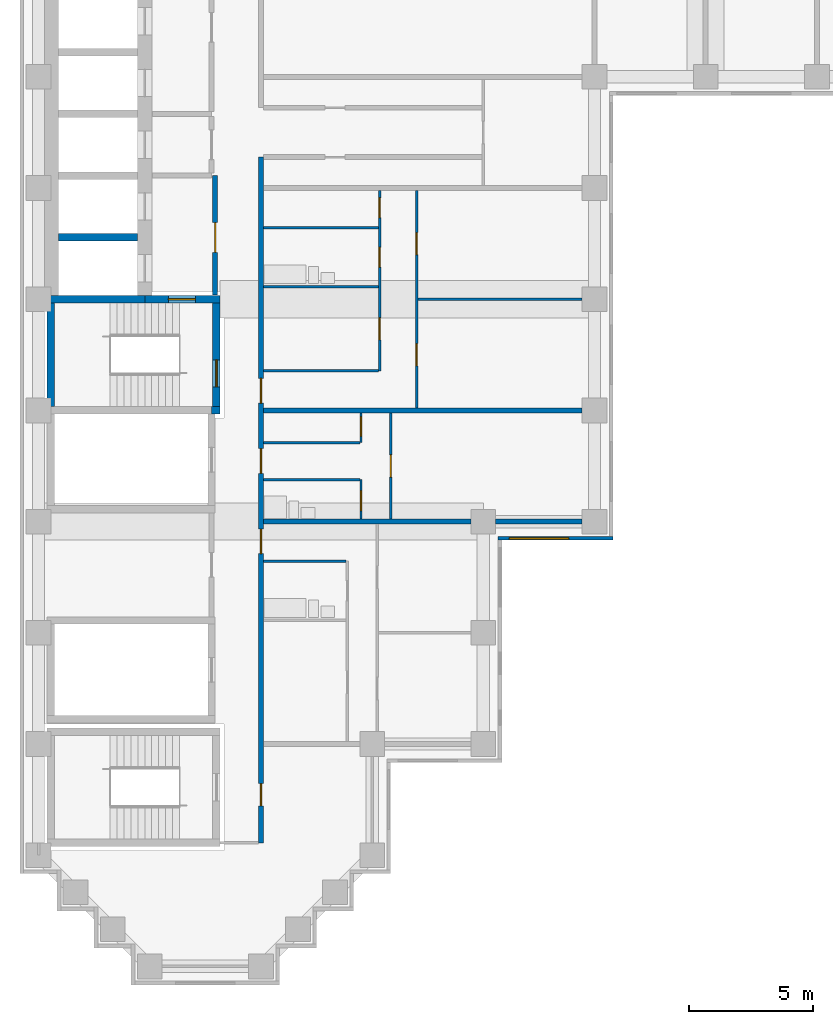
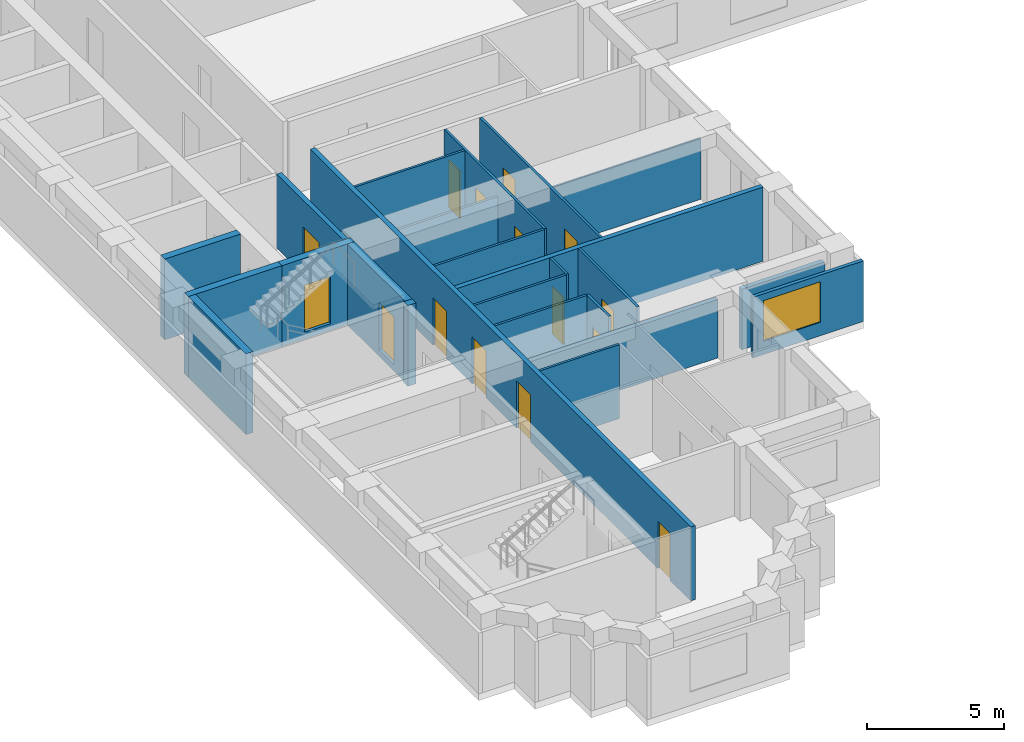
# One storey, part 3 of 12: 24 walls, 15 doors, 1 window, 16 openings.
"""IFC4 building model written with IfcOpenShell, lengths in metres."""

from ifc_helpers import new_model, si_unit, direction, frame, frame_2d, origin, place, context, subcontext, project, spatial, rectangle, extrude, material, layer, layer_set, type_object, element, fill, save


model = new_model("IFC4")

# Units and contexts
model_context = context("Model", 3, precision=1e-05, world=origin(), true_north=direction((0.0, 1.0)))
body_context = subcontext(model_context, "Body", "Model", "MODEL_VIEW")
ifc_project = project(units=[si_unit("LENGTHUNIT", "METRE"), si_unit("AREAUNIT", "SQUARE_METRE"), si_unit("VOLUMEUNIT", "CUBIC_METRE"), si_unit("PLANEANGLEUNIT", "RADIAN"), si_unit("MASSUNIT", "GRAM", prefix="KILO")], contexts=[model_context])

# Site, building, storey
site_placement = place(None, origin())
site = spatial("IfcSite", under=ifc_project, at=site_placement, CompositionType="ELEMENT")
building_placement = place(site_placement, origin())
building = spatial("IfcBuilding", under=site, at=building_placement, Name="Firuza Court", CompositionType="ELEMENT")
storey_placement = place(building_placement, frame((0.0, 0.0, 144.800048828125)))
storey = spatial("IfcBuildingStorey", under=building, at=storey_placement, Name="L36", CompositionType="ELEMENT", Elevation=144.800048828125)

# Walls
ifc_material_1 = material(Name="Moisture-resistant gypsum board partition")
ifc_layer_1 = layer(ifc_material_1, 0.10009765625)
ifc_layer_set_1 = layer_set([ifc_layer_1], Name="Moisture-resistant gypsum board partition")
wall_type_1 = type_object("IfcWallType", Name="Bathroom partition 100", PredefinedType="PLUMBINGWALL", material=ifc_layer_set_1)
wall_1_placement = place(storey_placement, frame((9.10009765625, 16.39990234375, 0.0), z_axis=(0.0, 0.0, 1.0), x_axis=(1.0, 0.0, 0.0)))
element("IfcWall", 1, at=wall_1_placement, inside=storey, type_object=wall_type_1, Name="Bathroom partition 100 L36", PredefinedType="PLUMBINGWALL", context=body_context, shape_type="SweptSolid", body=[
    extrude(rectangle(XDim=3.349853515625, YDim=0.10009765625, at=frame_2d((1.6748046875, 0.0))), origin(), (0.0, 0.0, 1.0), 3.300048828125),
])
wall_2_placement = place(storey_placement, frame((9.10009765625, 19.699951171875, 0.0), z_axis=(0.0, 0.0, 1.0), x_axis=(1.0, 0.0, 0.0)))
element("IfcWall", 2, at=wall_2_placement, inside=storey, type_object=wall_type_1, Name="Bathroom partition 100 L36", PredefinedType="PLUMBINGWALL", context=body_context, shape_type="SweptSolid", body=[
    extrude(rectangle(XDim=3.89990234375, YDim=0.10009765625, at=frame_2d((1.949951171875, 0.0))), origin(), (0.0, 0.0, 1.0), 3.300048828125),
])
wall_3_placement = place(storey_placement, frame((9.10009765625, 27.5, 0.0), z_axis=(0.0, 0.0, 1.0), x_axis=(1.0, 0.0, 0.0)))
element("IfcWall", 3, at=wall_3_placement, inside=storey, type_object=wall_type_1, Name="Bathroom partition 100 L36", PredefinedType="PLUMBINGWALL", context=body_context, shape_type="SweptSolid", body=[
    extrude(rectangle(XDim=4.64990234375, YDim=0.10009765625, at=frame_2d((2.324951171875, 0.0))), origin(), (0.0, 0.0, 1.0), 2.699951171875),
])
wall_4_placement = place(storey_placement, frame((9.10009765625, 29.89990234375, 0.0), z_axis=(0.0, 0.0, 1.0), x_axis=(1.0, 0.0, 0.0)))
element("IfcWall", 4, at=wall_4_placement, inside=storey, type_object=wall_type_1, Name="Bathroom partition 100 L36", PredefinedType="PLUMBINGWALL", context=body_context, shape_type="SweptSolid", body=[
    extrude(rectangle(XDim=4.64990234375, YDim=0.10009765625, at=frame_2d((2.324951171875, 0.0))), origin(), (0.0, 0.0, 1.0), 3.300048828125),
])
ifc_material_2 = material(Name="Concrete C60/75", Category="concrete")
ifc_layer_2 = layer(ifc_material_2, 0.300048828125)
ifc_layer_set_2 = layer_set([ifc_layer_2], Name="Concrete C60/75")
wall_type_2 = type_object("IfcWallType", Name="Core wall 300 C60/75", PredefinedType="SHEAR", material=ifc_layer_set_2)
wall_5_placement = place(storey_placement, frame((0.35009765625, 27.0, -0.300048828125), z_axis=(0.0, 0.0, 1.0), x_axis=(1.0, 0.0, 0.0)))
element("IfcWall", 5, at=wall_5_placement, inside=storey, type_object=wall_type_2, Name="Core wall lift shaft L36", PredefinedType="SHEAR", context=body_context, shape_type="SweptSolid", body=[
    extrude(rectangle(XDim=3.949951171875, YDim=0.300048828125, at=frame_2d((1.97509765625, 0.0))), origin(), (0.0, 0.0, 1.0), 3.60009765625),
])
wall_6_placement = place(storey_placement, frame((0.5, 22.64990234375, -0.300048828125), z_axis=(0.0, 0.0, 1.0), x_axis=(0.0, 1.0, 0.0)))
element("IfcWall", 6, at=wall_6_placement, inside=storey, type_object=wall_type_2, Name="Core wall stair L36", PredefinedType="SHEAR", context=body_context, shape_type="SweptSolid", body=[
    extrude(rectangle(XDim=4.2001953125, YDim=0.300048828125, at=frame_2d((2.10009765625, 0.0))), origin(), (0.0, 0.0, 1.0), 3.60009765625),
])
wall_7_placement = place(storey_placement, frame((0.800048828125, 29.5, -0.300048828125), z_axis=(0.0, 0.0, 1.0), x_axis=(1.0, 0.0, 0.0)))
element("IfcWall", 7, at=wall_7_placement, inside=storey, type_object=wall_type_2, Name="Core wall lift shaft L36", PredefinedType="SHEAR", context=body_context, shape_type="SweptSolid", body=[
    extrude(rectangle(XDim=3.199951171875, YDim=0.300048828125, at=frame_2d((1.60009765625, 0.0))), origin(), (0.0, 0.0, 1.0), 3.60009765625),
])

# Wall, opening, door
wall_8_placement = place(storey_placement, frame((4.300048828125, 27.0, -0.300048828125), z_axis=(0.0, 0.0, 1.0), x_axis=(1.0, 0.0, 0.0)))
wall_8 = element("IfcWall", 8, at=wall_8_placement, inside=storey, type_object=wall_type_2, Name="Core wall stair L36", PredefinedType="SHEAR", context=body_context, shape_type="SweptSolid", body=[
    extrude(rectangle(XDim=3.050048828125, YDim=0.300048828125, at=frame_2d((1.52490234375, 0.0))), origin(), (0.0, 0.0, 1.0), 3.60009765625),
])
opening_1_placement = place(wall_8_placement, frame((0.949951171875, 0.0, 0.300048828125)))
opening_1 = element("IfcOpeningElement", 9, at=opening_1_placement, cuts=wall_8, Name="Opening D36013", PredefinedType="OPENING", context=body_context, shape_type="SweptSolid", body=[
    extrude(rectangle(XDim=1.10009765625, YDim=2.10009765625, at=frame_2d((0.550048828125, 1.050048828125))), frame((0.0, 0.162109375, 0.0), z_axis=(0.0, -1.0, 0.0), x_axis=(1.0, 0.0, 0.0)), (0.0, 0.0, 1.0), 0.323974609375),
])
ifc_material_3 = material(Name="Timber door leaf in hardwood frame", Category="wood")
door_type_1 = type_object("IfcDoorType", Name="Stair door 1100", OperationType="SINGLE_SWING_LEFT", PredefinedType="DOOR", material=ifc_material_3)
door_1_placement = place(opening_1_placement, frame((1.10009765625, 0.0, 0.0), z_axis=(0.0, 0.0, 1.0), x_axis=(-1.0, 0.0, 0.0)))
door_1 = element("IfcDoor", 10, at=door_1_placement, inside=storey, type_object=door_type_1, Name="Fire-fighting lobby door", OperationType="SINGLE_SWING_LEFT", OverallHeight=2.10009765625, OverallWidth=1.10009765625, PredefinedType="DOOR", context=body_context, shape_type="SweptSolid", body=[
    extrude(rectangle(XDim=1.10009765625, YDim=2.10009765625, at=frame_2d((0.550048828125, 1.050048828125))), frame((0.0, 0.02490234375, 0.0), z_axis=(0.0, -1.0, 0.0), x_axis=(1.0, 0.0, 0.0)), (0.0, 0.0, 1.0), 0.050048828125),
])
fill(opening_1, door_1)

# Wall
wall_9_placement = place(storey_placement, frame((7.0, 22.5, -0.300048828125), z_axis=(0.0, 0.0, 1.0), x_axis=(1.0, 0.0, 0.0)))
element("IfcWall", 11, at=wall_9_placement, inside=storey, type_object=wall_type_2, Name="Core wall stair L36", PredefinedType="SHEAR", context=body_context, shape_type="SweptSolid", body=[
    extrude(rectangle(XDim=0.35009765625, YDim=0.300048828125, at=frame_2d((0.175048828125, 0.0))), origin(), (0.0, 0.0, 1.0), 3.60009765625),
])

# Wall, opening, door
wall_10_placement = place(storey_placement, frame((7.199951171875, 22.64990234375, -0.300048828125), z_axis=(0.0, 0.0, 1.0), x_axis=(0.0, 1.0, 0.0)))
wall_10 = element("IfcWall", 12, at=wall_10_placement, inside=storey, type_object=wall_type_2, Name="Core wall stair L36", PredefinedType="SHEAR", context=body_context, shape_type="SweptSolid", body=[
    extrude(rectangle(XDim=4.2001953125, YDim=0.300048828125, at=frame_2d((2.10009765625, 0.0))), origin(), (0.0, 0.0, 1.0), 3.60009765625),
])
opening_2_placement = place(wall_10_placement, frame((0.800048828125, 0.0, 0.300048828125)))
opening_2 = element("IfcOpeningElement", 13, at=opening_2_placement, cuts=wall_10, Name="Opening D36014", PredefinedType="OPENING", context=body_context, shape_type="SweptSolid", body=[
    extrude(rectangle(XDim=1.10009765625, YDim=2.10009765625, at=frame_2d((0.550048828125, 1.050048828125))), frame((0.0, 0.162109375, 0.0), z_axis=(0.0, -1.0, 0.0), x_axis=(1.0, 0.0, 0.0)), (0.0, 0.0, 1.0), 0.323974609375),
])
door_2_placement = place(opening_2_placement, origin())
door_2 = element("IfcDoor", 14, at=door_2_placement, inside=storey, type_object=door_type_1, Name="Stair door S2", OperationType="SINGLE_SWING_LEFT", OverallHeight=2.10009765625, OverallWidth=1.10009765625, PredefinedType="DOOR", context=body_context, shape_type="SweptSolid", body=[
    extrude(rectangle(XDim=1.10009765625, YDim=2.10009765625, at=frame_2d((0.550048828125, 1.050048828125))), frame((0.0, 0.02490234375, 0.0), z_axis=(0.0, -1.0, 0.0), x_axis=(1.0, 0.0, 0.0)), (0.0, 0.0, 1.0), 0.050048828125),
])
fill(opening_2, door_2)

# Wall, openings, doors
ifc_material_4 = material(Name="Blockwork, plastered both sides", Category="masonry")
ifc_layer_3 = layer(ifc_material_4, 0.199951171875)
ifc_layer_set_3 = layer_set([ifc_layer_3], Name="Blockwork, plastered both sides")
wall_type_3 = type_object("IfcWallType", Name="Corridor wall 200", PredefinedType="PARTITIONING", material=ifc_layer_set_3)
wall_11_placement = place(storey_placement, frame((9.0, 5.0, 0.0), z_axis=(0.0, 0.0, 1.0), x_axis=(0.0, 1.0, 0.0)))
wall_11 = element("IfcWall", 15, at=wall_11_placement, inside=storey, type_object=wall_type_3, Name="Corridor wall 200 L36", PredefinedType="PARTITIONING", context=body_context, shape_type="SweptSolid", body=[
    extrude(rectangle(XDim=27.75, YDim=0.199951171875, at=frame_2d((13.875, 0.0))), origin(), (0.0, 0.0, 1.0), 3.300048828125),
])
opening_3_placement = place(wall_11_placement, frame((17.800048828125, 0.0, 0.0)))
opening_3 = element("IfcOpeningElement", 16, at=opening_3_placement, cuts=wall_11, Name="Opening D36018", PredefinedType="OPENING", context=body_context, shape_type="SweptSolid", body=[
    extrude(rectangle(XDim=1.0, YDim=2.10009765625, at=frame_2d((0.5, 1.050048828125))), frame((0.0, 0.11181640625, 0.0), z_axis=(0.0, -1.0, 0.0), x_axis=(1.0, 0.0, 0.0)), (0.0, 0.0, 1.0), 0.223876953125),
])
opening_4_placement = place(wall_11_placement, frame((14.949951171875, 0.0, 0.0)))
opening_4 = element("IfcOpeningElement", 17, at=opening_4_placement, cuts=wall_11, Name="Opening D36019", PredefinedType="OPENING", context=body_context, shape_type="SweptSolid", body=[
    extrude(rectangle(XDim=1.0, YDim=2.10009765625, at=frame_2d((0.5, 1.050048828125))), frame((0.0, 0.11181640625, 0.0), z_axis=(0.0, -1.0, 0.0), x_axis=(1.0, 0.0, 0.0)), (0.0, 0.0, 1.0), 0.223876953125),
])
opening_5_placement = place(wall_11_placement, frame((11.699951171875, 0.0, 0.0)))
opening_5 = element("IfcOpeningElement", 18, at=opening_5_placement, cuts=wall_11, Name="Opening D36020", PredefinedType="OPENING", context=body_context, shape_type="SweptSolid", body=[
    extrude(rectangle(XDim=1.0, YDim=2.10009765625, at=frame_2d((0.5, 1.050048828125))), frame((0.0, 0.11181640625, 0.0), z_axis=(0.0, -1.0, 0.0), x_axis=(1.0, 0.0, 0.0)), (0.0, 0.0, 1.0), 0.223876953125),
])
opening_6_placement = place(wall_11_placement, frame((1.5, 0.0, 0.0)))
opening_6 = element("IfcOpeningElement", 19, at=opening_6_placement, cuts=wall_11, Name="Opening D36021", PredefinedType="OPENING", context=body_context, shape_type="SweptSolid", body=[
    extrude(rectangle(XDim=0.89990234375, YDim=2.10009765625, at=frame_2d((0.449951171875, 1.050048828125))), frame((0.0, 0.11181640625, 0.0), z_axis=(0.0, -1.0, 0.0), x_axis=(1.0, 0.0, 0.0)), (0.0, 0.0, 1.0), 0.223876953125),
])
ifc_material_5 = material(Name="Timber door leaf in hardwood frame", Category="wood")
door_type_2 = type_object("IfcDoorType", Name="Flat entrance door 1000", OperationType="SINGLE_SWING_LEFT", PredefinedType="DOOR", material=ifc_material_5)
door_3_placement = place(opening_3_placement, origin())
door_3 = element("IfcDoor", 20, at=door_3_placement, inside=storey, type_object=door_type_2, Name="Flat entrance door", OperationType="SINGLE_SWING_LEFT", OverallHeight=2.10009765625, OverallWidth=1.0, PredefinedType="DOOR", context=body_context, shape_type="SweptSolid", body=[
    extrude(rectangle(XDim=1.0, YDim=2.10009765625, at=frame_2d((0.5, 1.050048828125))), frame((0.0, 0.02490234375, 0.0), z_axis=(0.0, -1.0, 0.0), x_axis=(1.0, 0.0, 0.0)), (0.0, 0.0, 1.0), 0.050048828125),
])
fill(opening_3, door_3)
door_4_placement = place(opening_4_placement, origin())
door_4 = element("IfcDoor", 21, at=door_4_placement, inside=storey, type_object=door_type_2, Name="Flat entrance door", OperationType="SINGLE_SWING_LEFT", OverallHeight=2.10009765625, OverallWidth=1.0, PredefinedType="DOOR", context=body_context, shape_type="SweptSolid", body=[
    extrude(rectangle(XDim=1.0, YDim=2.10009765625, at=frame_2d((0.5, 1.050048828125))), frame((0.0, 0.02490234375, 0.0), z_axis=(0.0, -1.0, 0.0), x_axis=(1.0, 0.0, 0.0)), (0.0, 0.0, 1.0), 0.050048828125),
])
fill(opening_4, door_4)
door_5_placement = place(opening_5_placement, origin())
door_5 = element("IfcDoor", 22, at=door_5_placement, inside=storey, type_object=door_type_2, Name="Flat entrance door", OperationType="SINGLE_SWING_LEFT", OverallHeight=2.10009765625, OverallWidth=1.0, PredefinedType="DOOR", context=body_context, shape_type="SweptSolid", body=[
    extrude(rectangle(XDim=1.0, YDim=2.10009765625, at=frame_2d((0.5, 1.050048828125))), frame((0.0, 0.02490234375, 0.0), z_axis=(0.0, -1.0, 0.0), x_axis=(1.0, 0.0, 0.0)), (0.0, 0.0, 1.0), 0.050048828125),
])
fill(opening_5, door_5)
ifc_material_6 = material(Name="Timber door leaf in hardwood frame", Category="wood")
door_type_3 = type_object("IfcDoorType", Name="Room door 900 EI 30", OperationType="SINGLE_SWING_LEFT", PredefinedType="DOOR", material=ifc_material_6)
door_6_placement = place(opening_6_placement, origin())
door_6 = element("IfcDoor", 23, at=door_6_placement, inside=storey, type_object=door_type_3, Name="Dining room door", OperationType="SINGLE_SWING_LEFT", OverallHeight=2.10009765625, OverallWidth=0.89990234375, PredefinedType="DOOR", context=body_context, shape_type="SweptSolid", body=[
    extrude(rectangle(XDim=0.89990234375, YDim=2.10009765625, at=frame_2d((0.449951171875, 1.050048828125))), frame((0.0, 0.02490234375, 0.0), z_axis=(0.0, -1.0, 0.0), x_axis=(1.0, 0.0, 0.0)), (0.0, 0.0, 1.0), 0.050048828125),
])
fill(opening_6, door_6)

# Wall, opening, door
ifc_material_7 = material(Name="Timber stud partition, plasterboard both sides", Category="wood")
ifc_layer_4 = layer(ifc_material_7, 0.10009765625)
ifc_layer_set_4 = layer_set([ifc_layer_4], Name="Timber stud partition, plasterboard both sides")
wall_type_4 = type_object("IfcWallType", Name="Partition wall 100", PredefinedType="PARTITIONING", material=ifc_layer_set_4)
wall_12_placement = place(storey_placement, frame((13.050048828125, 18.10009765625, 0.0), z_axis=(0.0, 0.0, 1.0), x_axis=(0.0, 1.0, 0.0)))
wall_12 = element("IfcWall", 24, at=wall_12_placement, inside=storey, type_object=wall_type_4, Name="Partition wall 100 L36", PredefinedType="PARTITIONING", context=body_context, shape_type="SweptSolid", body=[
    extrude(rectangle(XDim=1.599853515625, YDim=0.10009765625, at=frame_2d((0.7998046875, 0.0))), origin(), (0.0, 0.0, 1.0), 3.300048828125),
])
opening_7_placement = place(wall_12_placement, frame((0.35009765625, 0.0, 0.0)))
opening_7 = element("IfcOpeningElement", 25, at=opening_7_placement, cuts=wall_12, Name="Opening D36027", PredefinedType="OPENING", context=body_context, shape_type="SweptSolid", body=[
    extrude(rectangle(XDim=0.800048828125, YDim=2.10009765625, at=frame_2d((0.39990234375, 1.050048828125))), frame((0.0, 0.06201171875, 0.0), z_axis=(0.0, -1.0, 0.0), x_axis=(1.0, 0.0, 0.0)), (0.0, 0.0, 1.0), 0.1240234375),
])
ifc_material_8 = material(Name="Timber door leaf in hardwood frame", Category="wood")
door_type_4 = type_object("IfcDoorType", Name="Bathroom door 800", OperationType="SINGLE_SWING_LEFT", PredefinedType="DOOR", material=ifc_material_8)
door_7_placement = place(opening_7_placement, origin())
door_7 = element("IfcDoor", 26, at=door_7_placement, inside=storey, type_object=door_type_4, Name="Bathroom door", OperationType="SINGLE_SWING_LEFT", OverallHeight=2.10009765625, OverallWidth=0.800048828125, PredefinedType="DOOR", context=body_context, shape_type="SweptSolid", body=[
    extrude(rectangle(XDim=0.800048828125, YDim=2.10009765625, at=frame_2d((0.39990234375, 1.050048828125))), frame((0.0, 0.02490234375, 0.0), z_axis=(0.0, -1.0, 0.0), x_axis=(1.0, 0.0, 0.0)), (0.0, 0.0, 1.0), 0.050048828125),
])
fill(opening_7, door_7)

wall_13_placement = place(storey_placement, frame((14.25, 18.10009765625, 0.0), z_axis=(0.0, 0.0, 1.0), x_axis=(0.0, 1.0, 0.0)))
wall_13 = element("IfcWall", 27, at=wall_13_placement, inside=storey, type_object=wall_type_4, Name="Partition wall 100 L36", PredefinedType="PARTITIONING", context=body_context, shape_type="SweptSolid", body=[
    extrude(rectangle(XDim=4.2998046875, YDim=0.10009765625, at=frame_2d((2.14990234375, 0.0))), origin(), (0.0, 0.0, 1.0), 3.300048828125),
])
opening_8_placement = place(wall_13_placement, frame((1.699951171875, 0.0, 0.0)))
opening_8 = element("IfcOpeningElement", 28, at=opening_8_placement, cuts=wall_13, Name="Opening D36028", PredefinedType="OPENING", context=body_context, shape_type="SweptSolid", body=[
    extrude(rectangle(XDim=0.89990234375, YDim=2.10009765625, at=frame_2d((0.449951171875, 1.050048828125))), frame((0.0, 0.06201171875, 0.0), z_axis=(0.0, -1.0, 0.0), x_axis=(1.0, 0.0, 0.0)), (0.0, 0.0, 1.0), 0.1240234375),
])
ifc_material_9 = material(Name="Timber door leaf in hardwood frame", Category="wood")
door_type_5 = type_object("IfcDoorType", Name="Room door 900", OperationType="SINGLE_SWING_LEFT", PredefinedType="DOOR", material=ifc_material_9)
door_8_placement = place(opening_8_placement, frame((0.89990234375, 0.0, 0.0), z_axis=(0.0, 0.0, 1.0), x_axis=(-1.0, 0.0, 0.0)))
door_8 = element("IfcDoor", 29, at=door_8_placement, inside=storey, type_object=door_type_5, Name="Studio room door", OperationType="SINGLE_SWING_RIGHT", OverallHeight=2.10009765625, OverallWidth=0.89990234375, PredefinedType="DOOR", context=body_context, shape_type="SweptSolid", body=[
    extrude(rectangle(XDim=0.89990234375, YDim=2.10009765625, at=frame_2d((0.449951171875, 1.050048828125))), frame((0.0, 0.02490234375, 0.0), z_axis=(0.0, -1.0, 0.0), x_axis=(1.0, 0.0, 0.0)), (0.0, 0.0, 1.0), 0.050048828125),
])
fill(opening_8, door_8)

# Wall
wall_14_placement = place(storey_placement, frame((9.10009765625, 21.199951171875, 0.0), z_axis=(0.0, 0.0, 1.0), x_axis=(1.0, 0.0, 0.0)))
element("IfcWall", 30, at=wall_14_placement, inside=storey, type_object=wall_type_4, Name="Partition wall 100 L36", PredefinedType="PARTITIONING", context=body_context, shape_type="SweptSolid", body=[
    extrude(rectangle(XDim=3.89990234375, YDim=0.10009765625, at=frame_2d((1.949951171875, 0.0))), origin(), (0.0, 0.0, 1.0), 3.300048828125),
])

# Wall, opening, door
wall_15_placement = place(storey_placement, frame((13.050048828125, 21.199951171875, 0.0), z_axis=(0.0, 0.0, 1.0), x_axis=(0.0, 1.0, 0.0)))
wall_15 = element("IfcWall", 31, at=wall_15_placement, inside=storey, type_object=wall_type_4, Name="Partition wall 100 L36", PredefinedType="PARTITIONING", context=body_context, shape_type="SweptSolid", body=[
    extrude(rectangle(XDim=1.199951171875, YDim=0.10009765625, at=frame_2d((0.60009765625, 0.0))), origin(), (0.0, 0.0, 1.0), 3.300048828125),
])
opening_9_placement = place(wall_15_placement, frame((0.25, 0.0, 0.0)))
opening_9 = element("IfcOpeningElement", 32, at=opening_9_placement, cuts=wall_15, Name="Opening D36029", PredefinedType="OPENING", context=body_context, shape_type="SweptSolid", body=[
    extrude(rectangle(XDim=0.800048828125, YDim=2.10009765625, at=frame_2d((0.39990234375, 1.050048828125))), frame((0.0, 0.06201171875, 0.0), z_axis=(0.0, -1.0, 0.0), x_axis=(1.0, 0.0, 0.0)), (0.0, 0.0, 1.0), 0.1240234375),
])
ifc_material_10 = material(Name="Timber door leaf in hardwood frame", Category="wood")
door_type_6 = type_object("IfcDoorType", Name="Room door 800", OperationType="SINGLE_SWING_LEFT", PredefinedType="DOOR", material=ifc_material_10)
door_9_placement = place(opening_9_placement, origin())
door_9 = element("IfcDoor", 33, at=door_9_placement, inside=storey, type_object=door_type_6, Name="Kitchen door", OperationType="SINGLE_SWING_LEFT", OverallHeight=2.10009765625, OverallWidth=0.800048828125, PredefinedType="DOOR", context=body_context, shape_type="SweptSolid", body=[
    extrude(rectangle(XDim=0.800048828125, YDim=2.10009765625, at=frame_2d((0.39990234375, 1.050048828125))), frame((0.0, 0.02490234375, 0.0), z_axis=(0.0, -1.0, 0.0), x_axis=(1.0, 0.0, 0.0)), (0.0, 0.0, 1.0), 0.050048828125),
])
fill(opening_9, door_9)

# Wall, openings, doors
wall_16_placement = place(storey_placement, frame((15.300048828125, 22.60009765625, 0.0), z_axis=(0.0, 0.0, 1.0), x_axis=(0.0, 1.0, 0.0)))
wall_16 = element("IfcWall", 34, at=wall_16_placement, inside=storey, type_object=wall_type_4, Name="Partition wall 100 L36", PredefinedType="PARTITIONING", context=body_context, shape_type="SweptSolid", body=[
    extrude(rectangle(XDim=8.7998046875, YDim=0.10009765625, at=frame_2d((4.39990234375, 0.0))), origin(), (0.0, 0.0, 1.0), 3.300048828125),
])
opening_10_placement = place(wall_16_placement, frame((1.699951171875, 0.0, 0.0)))
opening_10 = element("IfcOpeningElement", 35, at=opening_10_placement, cuts=wall_16, Name="Opening D36030", PredefinedType="OPENING", context=body_context, shape_type="SweptSolid", body=[
    extrude(rectangle(XDim=0.89990234375, YDim=2.10009765625, at=frame_2d((0.449951171875, 1.050048828125))), frame((0.0, 0.06201171875, 0.0), z_axis=(0.0, -1.0, 0.0), x_axis=(1.0, 0.0, 0.0)), (0.0, 0.0, 1.0), 0.1240234375),
])
opening_11_placement = place(wall_16_placement, frame((6.199951171875, 0.0, 0.0)))
opening_11 = element("IfcOpeningElement", 36, at=opening_11_placement, cuts=wall_16, Name="Opening D36031", PredefinedType="OPENING", context=body_context, shape_type="SweptSolid", body=[
    extrude(rectangle(XDim=0.89990234375, YDim=2.10009765625, at=frame_2d((0.449951171875, 1.050048828125))), frame((0.0, 0.06201171875, 0.0), z_axis=(0.0, -1.0, 0.0), x_axis=(1.0, 0.0, 0.0)), (0.0, 0.0, 1.0), 0.1240234375),
])
door_10_placement = place(opening_10_placement, frame((0.89990234375, 0.0, 0.0), z_axis=(0.0, 0.0, 1.0), x_axis=(-1.0, 0.0, 0.0)))
door_10 = element("IfcDoor", 37, at=door_10_placement, inside=storey, type_object=door_type_5, Name="Living room door", OperationType="SINGLE_SWING_RIGHT", OverallHeight=2.10009765625, OverallWidth=0.89990234375, PredefinedType="DOOR", context=body_context, shape_type="SweptSolid", body=[
    extrude(rectangle(XDim=0.89990234375, YDim=2.10009765625, at=frame_2d((0.449951171875, 1.050048828125))), frame((0.0, 0.02490234375, 0.0), z_axis=(0.0, -1.0, 0.0), x_axis=(1.0, 0.0, 0.0)), (0.0, 0.0, 1.0), 0.050048828125),
])
fill(opening_10, door_10)
door_11_placement = place(opening_11_placement, frame((0.89990234375, 0.0, 0.0), z_axis=(0.0, 0.0, 1.0), x_axis=(-1.0, 0.0, 0.0)))
door_11 = element("IfcDoor", 38, at=door_11_placement, inside=storey, type_object=door_type_5, Name="Bedroom door", OperationType="SINGLE_SWING_RIGHT", OverallHeight=2.10009765625, OverallWidth=0.89990234375, PredefinedType="DOOR", context=body_context, shape_type="SweptSolid", body=[
    extrude(rectangle(XDim=0.89990234375, YDim=2.10009765625, at=frame_2d((0.449951171875, 1.050048828125))), frame((0.0, 0.02490234375, 0.0), z_axis=(0.0, -1.0, 0.0), x_axis=(1.0, 0.0, 0.0)), (0.0, 0.0, 1.0), 0.050048828125),
])
fill(opening_11, door_11)

# Wall
wall_17_placement = place(storey_placement, frame((9.10009765625, 24.10009765625, 0.0), z_axis=(0.0, 0.0, 1.0), x_axis=(1.0, 0.0, 0.0)))
element("IfcWall", 39, at=wall_17_placement, inside=storey, type_object=wall_type_4, Name="Partition wall 100 L36", PredefinedType="PARTITIONING", context=body_context, shape_type="SweptSolid", body=[
    extrude(rectangle(XDim=4.64990234375, YDim=0.10009765625, at=frame_2d((2.324951171875, 0.0))), origin(), (0.0, 0.0, 1.0), 3.300048828125),
])

# Wall, openings, doors
wall_18_placement = place(storey_placement, frame((13.800048828125, 24.10009765625, 0.0), z_axis=(0.0, 0.0, 1.0), x_axis=(0.0, 1.0, 0.0)))
wall_18 = element("IfcWall", 40, at=wall_18_placement, inside=storey, type_object=wall_type_4, Name="Partition wall 100 L36", PredefinedType="PARTITIONING", context=body_context, shape_type="SweptSolid", body=[
    extrude(rectangle(XDim=7.2998046875, YDim=0.10009765625, at=frame_2d((3.64990234375, 0.0))), origin(), (0.0, 0.0, 1.0), 3.300048828125),
])
opening_12_placement = place(wall_18_placement, frame((4.199951171875, 0.0, 0.0)))
opening_12 = element("IfcOpeningElement", 41, at=opening_12_placement, cuts=wall_18, Name="Opening D36032", PredefinedType="OPENING", context=body_context, shape_type="SweptSolid", body=[
    extrude(rectangle(XDim=0.800048828125, YDim=2.10009765625, at=frame_2d((0.39990234375, 1.050048828125))), frame((0.0, 0.06201171875, 0.0), z_axis=(0.0, -1.0, 0.0), x_axis=(1.0, 0.0, 0.0)), (0.0, 0.0, 1.0), 0.1240234375),
])
opening_13_placement = place(wall_18_placement, frame((1.25, 0.0, 0.0)))
opening_13 = element("IfcOpeningElement", 42, at=opening_13_placement, cuts=wall_18, Name="Opening D36033", PredefinedType="OPENING", context=body_context, shape_type="SweptSolid", body=[
    extrude(rectangle(XDim=0.89990234375, YDim=2.10009765625, at=frame_2d((0.449951171875, 1.050048828125))), frame((0.0, 0.06201171875, 0.0), z_axis=(0.0, -1.0, 0.0), x_axis=(1.0, 0.0, 0.0)), (0.0, 0.0, 1.0), 0.1240234375),
])
opening_14_placement = place(wall_18_placement, frame((6.199951171875, 0.0, 0.0)))
opening_14 = element("IfcOpeningElement", 43, at=opening_14_placement, cuts=wall_18, Name="Opening D36034", PredefinedType="OPENING", context=body_context, shape_type="SweptSolid", body=[
    extrude(rectangle(XDim=0.800048828125, YDim=2.10009765625, at=frame_2d((0.39990234375, 1.050048828125))), frame((0.0, 0.06201171875, 0.0), z_axis=(0.0, -1.0, 0.0), x_axis=(1.0, 0.0, 0.0)), (0.0, 0.0, 1.0), 0.1240234375),
])
door_12_placement = place(opening_12_placement, origin())
door_12 = element("IfcDoor", 44, at=door_12_placement, inside=storey, type_object=door_type_4, Name="Bathroom door", OperationType="SINGLE_SWING_LEFT", OverallHeight=2.10009765625, OverallWidth=0.800048828125, PredefinedType="DOOR", context=body_context, shape_type="SweptSolid", body=[
    extrude(rectangle(XDim=0.800048828125, YDim=2.10009765625, at=frame_2d((0.39990234375, 1.050048828125))), frame((0.0, 0.02490234375, 0.0), z_axis=(0.0, -1.0, 0.0), x_axis=(1.0, 0.0, 0.0)), (0.0, 0.0, 1.0), 0.050048828125),
])
fill(opening_12, door_12)
door_13_placement = place(opening_14_placement, origin())
door_13 = element("IfcDoor", 45, at=door_13_placement, inside=storey, type_object=door_type_6, Name="Store door", OperationType="SINGLE_SWING_LEFT", OverallHeight=2.10009765625, OverallWidth=0.800048828125, PredefinedType="DOOR", context=body_context, shape_type="SweptSolid", body=[
    extrude(rectangle(XDim=0.800048828125, YDim=2.10009765625, at=frame_2d((0.39990234375, 1.050048828125))), frame((0.0, 0.02490234375, 0.0), z_axis=(0.0, -1.0, 0.0), x_axis=(1.0, 0.0, 0.0)), (0.0, 0.0, 1.0), 0.050048828125),
])
fill(opening_14, door_13)
door_14_placement = place(opening_13_placement, origin())
door_14 = element("IfcDoor", 46, at=door_14_placement, inside=storey, type_object=door_type_5, Name="Kitchen door", OperationType="SINGLE_SWING_LEFT", OverallHeight=2.10009765625, OverallWidth=0.89990234375, PredefinedType="DOOR", context=body_context, shape_type="SweptSolid", body=[
    extrude(rectangle(XDim=0.89990234375, YDim=2.10009765625, at=frame_2d((0.449951171875, 1.050048828125))), frame((0.0, 0.02490234375, 0.0), z_axis=(0.0, -1.0, 0.0), x_axis=(1.0, 0.0, 0.0)), (0.0, 0.0, 1.0), 0.050048828125),
])
fill(opening_13, door_14)

# Walls
wall_19_placement = place(storey_placement, frame((15.35009765625, 27.0, 0.0), z_axis=(0.0, 0.0, 1.0), x_axis=(1.0, 0.0, 0.0)))
element("IfcWall", 47, at=wall_19_placement, inside=storey, type_object=wall_type_4, Name="Partition wall 100 L36", PredefinedType="PARTITIONING", context=body_context, shape_type="SweptSolid", body=[
    extrude(rectangle(XDim=6.64990234375, YDim=0.10009765625, at=frame_2d((3.324951171875, 0.0))), origin(), (0.0, 0.0, 1.0), 2.699951171875),
])
ifc_layer_5 = layer(ifc_material_4, 0.199951171875)
ifc_layer_set_5 = layer_set([ifc_layer_5], Name="Blockwork, plastered both sides")
wall_type_5 = type_object("IfcWallType", Name="Party wall 200", PredefinedType="PARTITIONING", material=ifc_layer_set_5)
wall_20_placement = place(storey_placement, frame((9.10009765625, 18.0, 0.0), z_axis=(0.0, 0.0, 1.0), x_axis=(1.0, 0.0, 0.0)))
element("IfcWall", 48, at=wall_20_placement, inside=storey, type_object=wall_type_5, Name="Party wall 200 L36", PredefinedType="PARTITIONING", context=body_context, shape_type="SweptSolid", body=[
    extrude(rectangle(XDim=8.39990234375, YDim=0.199951171875, at=frame_2d((4.199951171875, 0.0))), origin(), (0.0, 0.0, 1.0), 2.599853515625),
])
wall_21_placement = place(storey_placement, frame((18.5, 18.0, 0.0), z_axis=(0.0, 0.0, 1.0), x_axis=(1.0, 0.0, 0.0)))
element("IfcWall", 49, at=wall_21_placement, inside=storey, type_object=wall_type_5, Name="Party wall 200 L36", PredefinedType="PARTITIONING", context=body_context, shape_type="SweptSolid", body=[
    extrude(rectangle(XDim=3.5, YDim=0.199951171875, at=frame_2d((1.75, 0.0))), origin(), (0.0, 0.0, 1.0), 2.699951171875),
])
wall_22_placement = place(storey_placement, frame((9.10009765625, 22.5, 0.0), z_axis=(0.0, 0.0, 1.0), x_axis=(1.0, 0.0, 0.0)))
element("IfcWall", 50, at=wall_22_placement, inside=storey, type_object=wall_type_5, Name="Party wall 200 L36", PredefinedType="PARTITIONING", context=body_context, shape_type="SweptSolid", body=[
    extrude(rectangle(XDim=12.89990234375, YDim=0.199951171875, at=frame_2d((6.449951171875, 0.0))), origin(), (0.0, 0.0, 1.0), 3.300048828125),
])

# Wall, opening, window
ifc_material_11 = material(Name="Ceramic tile", Category="ceramic")
ifc_layer_6 = layer(ifc_material_11, 0.02001953125)
ifc_material_12 = material(Name="Mineral wool insulation", Category="insulation")
ifc_layer_7 = layer(ifc_material_12, 0.050048828125)
ifc_material_13 = material(Name="Concrete C40/50 precast", Category="concrete")
ifc_layer_8 = layer(ifc_material_13, 0.080078125)
ifc_layer_set_6 = layer_set([ifc_layer_6, ifc_layer_7, ifc_layer_8], Name="Concrete C40/50 precast")
wall_type_6 = type_object("IfcWallType", Name="Precast cladding wall with turquoise TILE PANEL face 150", PredefinedType="STANDARD", material=ifc_layer_set_6)
wall_23_placement = place(storey_placement, frame((18.60009765625, 17.324951171875, 0.0), z_axis=(0.0, 0.0, 1.0), x_axis=(1.0, 0.0, 0.0)))
wall_23 = element("IfcWall", 51, at=wall_23_placement, inside=storey, type_object=wall_type_6, Name="Facade wall L36 S", PredefinedType="STANDARD", context=body_context, shape_type="SweptSolid", body=[
    extrude(rectangle(XDim=4.64990234375, YDim=0.14990234375, at=frame_2d((2.324951171875, 0.0))), origin(), (0.0, 0.0, 1.0), 2.699951171875),
])
opening_15_placement = place(wall_23_placement, frame((0.449951171875, 0.0, 0.60009765625)))
opening_15 = element("IfcOpeningElement", 52, at=opening_15_placement, cuts=wall_23, Name="Opening W1", PredefinedType="OPENING", context=body_context, shape_type="SweptSolid", body=[
    extrude(rectangle(XDim=2.39990234375, YDim=1.800048828125, at=frame_2d((1.199951171875, 0.89990234375))), frame((0.0, 0.0869140625, 0.0), z_axis=(0.0, -1.0, 0.0), x_axis=(1.0, 0.0, 0.0)), (0.0, 0.0, 1.0), 0.173828125),
])
ifc_material_14 = material(Name="Aluminium frame, triple clear glazing", Category="aluminium")
window_type = type_object("IfcWindowType", Name="Window W1 2400 x 1800", PartitioningType="SINGLE_PANEL", PredefinedType="WINDOW", material=ifc_material_14)
window_placement = place(opening_15_placement, origin())
window = element("IfcWindow", 53, at=window_placement, inside=storey, type_object=window_type, Name="Window L36", OverallHeight=1.800048828125, OverallWidth=2.39990234375, PartitioningType="SINGLE_PANEL", PredefinedType="WINDOW", context=body_context, shape_type="SweptSolid", body=[
    extrude(rectangle(XDim=2.39990234375, YDim=1.800048828125, at=frame_2d((1.199951171875, 0.89990234375))), frame((0.0, 0.030029296875, 0.0), z_axis=(0.0, -1.0, 0.0), x_axis=(1.0, 0.0, 0.0)), (0.0, 0.0, 1.0), 0.06005859375),
])
fill(opening_15, window)

# Wall, opening, door
ifc_material_15 = material(Name="Blockwork, fire-rated", Category="masonry")
ifc_layer_9 = layer(ifc_material_15, 0.199951171875)
ifc_layer_set_7 = layer_set([ifc_layer_9], Name="Blockwork, fire-rated")
wall_type_7 = type_object("IfcWallType", Name="Shaft wall 200", PredefinedType="PARTITIONING", material=ifc_layer_set_7)
wall_24_placement = place(storey_placement, frame((7.14990234375, 27.169921875, 0.0), z_axis=(0.0, 0.0, 1.0), x_axis=(0.0, 1.0, 0.0)))
wall_24 = element("IfcWall", 54, at=wall_24_placement, inside=storey, type_object=wall_type_7, Name="Shaft wall 200 L36", PredefinedType="PARTITIONING", context=body_context, shape_type="SweptSolid", body=[
    extrude(rectangle(XDim=4.830078125, YDim=0.199951171875, at=frame_2d((2.4150390625, 0.0))), origin(), (0.0, 0.0, 1.0), 3.300048828125),
])
opening_16_placement = place(wall_24_placement, frame((1.72998046875, 0.0, 0.0)))
opening_16 = element("IfcOpeningElement", 55, at=opening_16_placement, cuts=wall_24, Name="Opening D36002", PredefinedType="OPENING", context=body_context, shape_type="SweptSolid", body=[
    extrude(rectangle(XDim=1.199951171875, YDim=2.10009765625, at=frame_2d((0.60009765625, 1.050048828125))), frame((0.0, 0.11181640625, 0.0), z_axis=(0.0, -1.0, 0.0), x_axis=(1.0, 0.0, 0.0)), (0.0, 0.0, 1.0), 0.223876953125),
])
ifc_material_16 = material(Name="Timber door leaf in hardwood frame", Category="wood")
door_type_7 = type_object("IfcDoorType", Name="Lobby door 1200", OperationType="SINGLE_SWING_LEFT", PredefinedType="DOOR", material=ifc_material_16)
door_15_placement = place(opening_16_placement, origin())
door_15 = element("IfcDoor", 56, at=door_15_placement, inside=storey, type_object=door_type_7, Name="Fire-fighting lobby door", OperationType="SINGLE_SWING_LEFT", OverallHeight=2.10009765625, OverallWidth=1.199951171875, PredefinedType="DOOR", context=body_context, shape_type="SweptSolid", body=[
    extrude(rectangle(XDim=1.199951171875, YDim=2.10009765625, at=frame_2d((0.60009765625, 1.050048828125))), frame((0.0, 0.02490234375, 0.0), z_axis=(0.0, -1.0, 0.0), x_axis=(1.0, 0.0, 0.0)), (0.0, 0.0, 1.0), 0.050048828125),
])
fill(opening_16, door_15)

save(model, "model.ifc")
